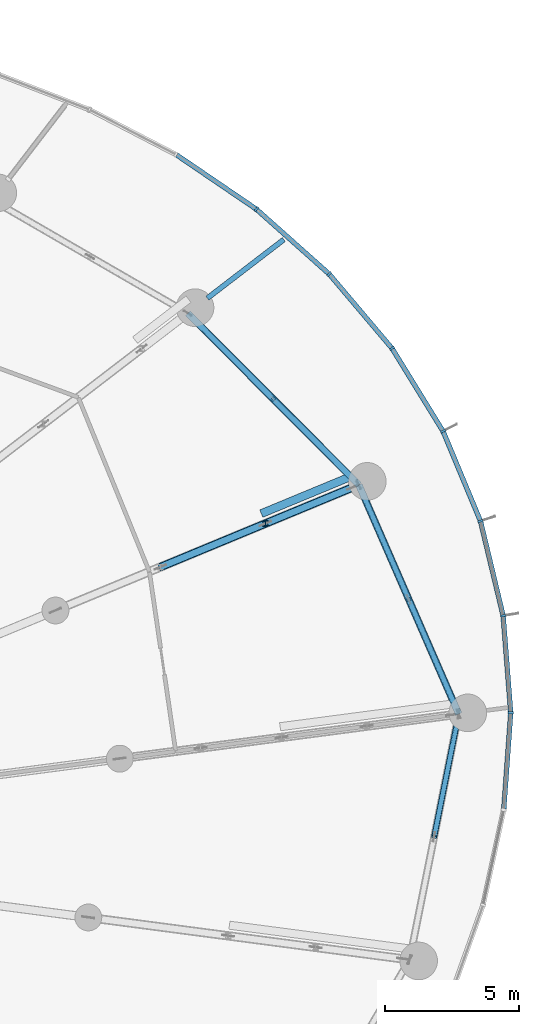
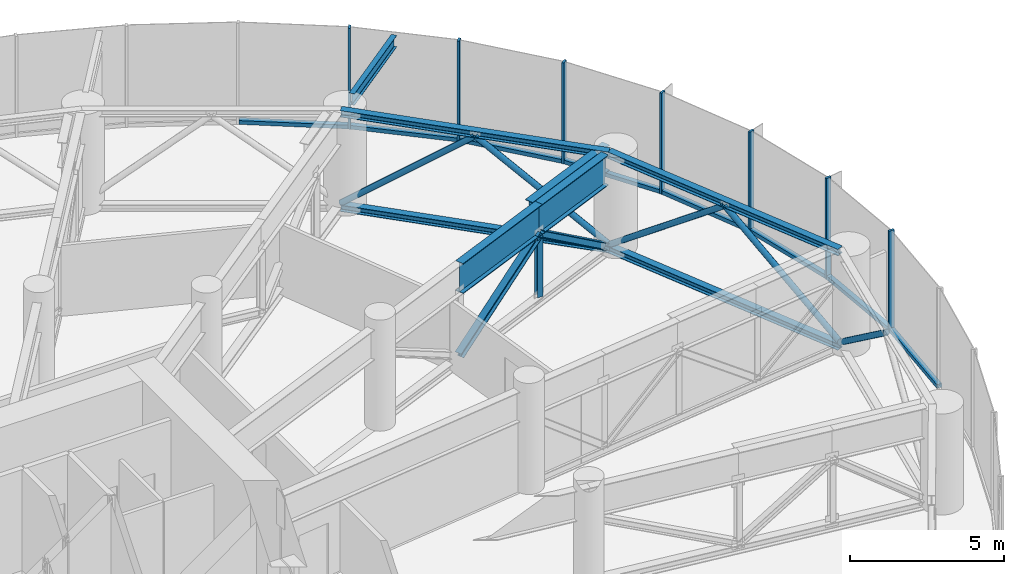
# One storey, part 17 of 42: 27 members, 4 beams, 2 elements without a shape of their own.
"""IFC4 building model written with IfcOpenShell, lengths in metres."""

import ifcopenshell
import ifcopenshell.guid

model = None  # the IFC model being written
_history = None  # IfcOwnerHistory: only IFC2X3 demands one
_inside = {}  # id of a spatial element -> (the spatial element, [elements in it])
_under = {}  # id of a project, library or spatial element -> (it, [spatial elements below it])
_declared = {}  # id of a project -> (the project, [libraries it declares])
_typed = {}  # id of a type object -> (the type object, [elements of that type])
_made_of = {}  # id of a material, layer set ... -> (it, [elements and type objects made of it])


def new_model(schema):
    """Start an empty IFC model of exactly this schema.

    Asked for "IFC4X3", IfcOpenShell would pick the latest addendum, in which some entities
    have other attributes; the version numbers below select the first issue.
    IFC2X3 requires an IfcOwnerHistory on every rooted entity: one is made here for all.
    """
    global model, _history
    if schema == "IFC4X3":
        model = ifcopenshell.file(schema_version=(4, 3, 0, 0))
    else:
        model = ifcopenshell.file(schema=schema)
    _inside.clear()
    _under.clear()
    _declared.clear()
    _typed.clear()
    _made_of.clear()
    _history = None
    if model.schema == "IFC2X3":
        org = make("IfcOrganization", Name="unknown")
        user = make(
            "IfcPersonAndOrganization",
            ThePerson=make("IfcPerson", FamilyName="unknown"),
            TheOrganization=org,
        )
        app = make(
            "IfcApplication",
            ApplicationDeveloper=org,
            Version="unknown",
            ApplicationFullName="unknown",
            ApplicationIdentifier="unknown",
        )
        _history = make(
            "IfcOwnerHistory",
            OwningUser=user,
            OwningApplication=app,
            ChangeAction="ADDED",
            CreationDate=0,
        )
    return model


def make(cls, **values):
    """One entity of the class cls with the attributes given. An attribute that is None is left unset."""
    return model.create_entity(
        cls, **{name: value for name, value in values.items() if value is not None}
    )


def rooted(cls, **values):
    """An entity with a GlobalId (a new one), such as an element, a storey or a relation."""
    return make(cls, GlobalId=ifcopenshell.guid.new(), OwnerHistory=_history, **values)


def si_unit(unit_type, name, prefix=None):
    """IfcSIUnit, for example si_unit("LENGTHUNIT", "METRE", prefix="MILLI")."""
    return make("IfcSIUnit", UnitType=unit_type, Prefix=prefix, Name=name)


def assignment(units):
    """IfcUnitAssignment: the units of a project."""
    return None if units is None else make("IfcUnitAssignment", Units=units)


def point(xyz):
    """IfcCartesianPoint."""
    return None if xyz is None else make("IfcCartesianPoint", Coordinates=xyz)


def direction(xyz):
    """IfcDirection."""
    return None if xyz is None else make("IfcDirection", DirectionRatios=xyz)


def frame(location, z_axis=None, x_axis=None):
    """IfcAxis2Placement3D, a coordinate frame: its origin and axes. An axis left out is left unset."""
    return make(
        "IfcAxis2Placement3D",
        Location=point(location),
        Axis=direction(z_axis),
        RefDirection=direction(x_axis),
    )


def frame_2d(location, x_axis=None):
    """IfcAxis2Placement2D, a coordinate frame in the plane: its origin and x axis."""
    return make(
        "IfcAxis2Placement2D", Location=point(location), RefDirection=direction(x_axis)
    )


def origin():
    """The frame at (0, 0, 0) with its axes left unset."""
    return frame((0.0, 0.0, 0.0))


def origin_2d():
    """The frame at (0, 0) in the plane with its x axis left unset."""
    return frame_2d((0.0, 0.0))


def place(relative_to, where):
    """IfcLocalPlacement: puts the frame where relative to a parent placement (None: the world)."""
    return make(
        "IfcLocalPlacement", PlacementRelTo=relative_to, RelativePlacement=where
    )


def context(
    kind, dimensions, precision=None, world=None, true_north=None, identifier=None
):
    """IfcGeometricRepresentationContext, for example the 3D "Model" context."""
    return make(
        "IfcGeometricRepresentationContext",
        ContextIdentifier=identifier,
        ContextType=kind,
        CoordinateSpaceDimension=dimensions,
        Precision=precision,
        WorldCoordinateSystem=world,
        TrueNorth=true_north,
    )


def subcontext(parent, identifier, kind, view, scale=None):
    """IfcGeometricRepresentationSubContext, for example "Body" below "Model"."""
    return make(
        "IfcGeometricRepresentationSubContext",
        ContextIdentifier=identifier,
        ContextType=kind,
        ParentContext=parent,
        TargetScale=scale,
        TargetView=view,
    )


def project(units=None, contexts=None):
    """IfcProject with its units and contexts."""
    return rooted(
        "IfcProject",
        Name="project",
        RepresentationContexts=contexts,
        UnitsInContext=assignment(units),
    )


def spatial(cls, under=None, at=None, **own):
    """A site, building, storey or space (cls), placed at a placement, below another one or the project."""
    s = rooted(cls, ObjectPlacement=at, **own)
    if under is not None:
        _under.setdefault(under.id(), (under, []))[1].append(s)
    return s


def profile(cls, at=None, kind="AREA", **sizes):
    """A parametric profile (cls). Its sizes go by their IFC names, for example OverallWidth=200.0."""
    return make(cls, ProfileType=kind, Position=at, **sizes)


def rectangle(**sizes):
    """IfcRectangleProfileDef."""
    return profile("IfcRectangleProfileDef", **sizes)


def hollow_circle(**sizes):
    """IfcCircleHollowProfileDef."""
    return profile("IfcCircleHollowProfileDef", **sizes)


def i_section(**sizes):
    """IfcIShapeProfileDef."""
    return profile("IfcIShapeProfileDef", **sizes)


def extrude(swept, where, along, depth):
    """IfcExtrudedAreaSolid: the profile swept, set in the frame where, extruded along a direction by depth."""
    return make(
        "IfcExtrudedAreaSolid",
        SweptArea=swept,
        Position=where,
        ExtrudedDirection=direction(along),
        Depth=depth,
    )


def shape(context_of_items, identifier, shape_type, items):
    """IfcShapeRepresentation: the items that make up one representation, for example the "Body"."""
    return make(
        "IfcShapeRepresentation",
        ContextOfItems=context_of_items,
        RepresentationIdentifier=identifier,
        RepresentationType=shape_type,
        Items=items,
    )


def source(mapping_origin, context_of_items, identifier, shape_type, items):
    """IfcRepresentationMap: a shape defined once, which mapped items show again and again."""
    return make(
        "IfcRepresentationMap",
        MappingOrigin=mapping_origin,
        MappedRepresentation=shape(context_of_items, identifier, shape_type, items),
    )


def transform(
    local_origin,
    x_axis=None,
    y_axis=None,
    z_axis=None,
    scale=None,
    scale2=None,
    scale3=None,
    uniform=True,
):
    """IfcCartesianTransformationOperator3D, or its non-uniform kind. x_axis, y_axis, z_axis: its Axis1, 2, 3."""
    if uniform:
        return make(
            "IfcCartesianTransformationOperator3D",
            Axis1=direction(x_axis),
            Axis2=direction(y_axis),
            LocalOrigin=point(local_origin),
            Scale=scale,
            Axis3=direction(z_axis),
        )
    return make(
        "IfcCartesianTransformationOperator3DnonUniform",
        Axis1=direction(x_axis),
        Axis2=direction(y_axis),
        LocalOrigin=point(local_origin),
        Scale=scale,
        Axis3=direction(z_axis),
        Scale2=scale2,
        Scale3=scale3,
    )


def mapped(mapping_source, mapping_target):
    """IfcMappedItem: shows the shape of a source again, moved by a transform."""
    return make(
        "IfcMappedItem", MappingSource=mapping_source, MappingTarget=mapping_target
    )


def material(Name=None, Category=None):
    """IfcMaterial."""
    return make("IfcMaterial", Name=Name, Category=Category)


def layer(
    of_material, thickness, ventilated=None, Name=None, Category=None, Priority=None
):
    """IfcMaterialLayer: one layer of a wall or slab, of a material (None: an air gap)."""
    return make(
        "IfcMaterialLayer",
        Material=of_material,
        LayerThickness=thickness,
        IsVentilated=ventilated,
        Name=Name,
        Category=Category,
        Priority=Priority,
    )


def layer_set(layers, Name=None):
    """IfcMaterialLayerSet."""
    return make("IfcMaterialLayerSet", MaterialLayers=layers, LayerSetName=Name)


def material_profile(
    of_material, cross_section, Name=None, Category=None, Priority=None
):
    """IfcMaterialProfile: a cross section and its material."""
    return make(
        "IfcMaterialProfile",
        Name=Name,
        Material=of_material,
        Profile=cross_section,
        Priority=Priority,
        Category=Category,
    )


def profile_set(profiles, Name=None, composite=None):
    """IfcMaterialProfileSet."""
    return make(
        "IfcMaterialProfileSet",
        Name=Name,
        MaterialProfiles=profiles,
        CompositeProfile=composite,
    )


def made_of(thing, what):
    """Note that an element or type object is made of a material, layer set ...; save() writes the relation."""
    if what is not None:
        _made_of.setdefault(what.id(), (what, []))[1].append(thing)
    return thing


def type_object(cls, material=None, **own):
    """A type object (cls), such as IfcWallType, which elements share."""
    return made_of(rooted(cls, **own), material)


def element(
    cls,
    number,
    at=None,
    inside=None,
    cuts=None,
    type_object=None,
    material=None,
    context=None,
    identifier="Body",
    shape_type=None,
    held_by="IfcProductDefinitionShape",
    body=None,
    shapes=None,
    **own,
):
    """One element of the class cls, such as IfcWall. Its Tag is "e" and its number.

    at: its placement. inside: the storey or other place that contains it. cuts: it is an
    opening in that element (IfcRelVoidsElement). A single representation is given by context,
    identifier, shape_type and body (its items); several are given by shapes. held_by: the class
    of the entity that holds the representations. save() writes the other relations.
    """
    e = rooted(cls, Tag="e%d" % number, ObjectPlacement=at, **own)
    if body is not None:
        shapes = [shape(context, identifier, shape_type, body)]
    if shapes is not None:
        e.Representation = make(held_by, Representations=shapes)
    if inside is not None:
        _inside.setdefault(inside.id(), (inside, []))[1].append(e)
    if cuts is not None:
        rooted(
            "IfcRelVoidsElement", RelatingBuildingElement=cuts, RelatedOpeningElement=e
        )
    if type_object is not None:
        _typed.setdefault(type_object.id(), (type_object, []))[1].append(e)
    return made_of(e, material)


def aggregate(whole, parts):
    """IfcRelAggregates: a whole, such as a stair, and the parts it consists of."""
    return rooted("IfcRelAggregates", RelatingObject=whole, RelatedObjects=parts)


def save(model, path):
    """Write the relations noted so far, then the file.

    IfcRelAggregates (storeys below a building ...), IfcRelContainedInSpatialStructure (elements
    in a storey), IfcRelDefinesByType, IfcRelAssociatesMaterial and IfcRelDeclares: one each for
    every whole, place, type object, material and project.
    """
    for whole, parts in _under.values():
        aggregate(whole, parts)
    for where, things in _inside.values():
        rooted(
            "IfcRelContainedInSpatialStructure",
            RelatedElements=things,
            RelatingStructure=where,
        )
    for kind, things in _typed.values():
        rooted("IfcRelDefinesByType", RelatedObjects=things, RelatingType=kind)
    for what, things in _made_of.values():
        rooted("IfcRelAssociatesMaterial", RelatedObjects=things, RelatingMaterial=what)
    for by, libraries in _declared.values():
        rooted("IfcRelDeclares", RelatingContext=by, RelatedDefinitions=libraries)
    model.write(path)


model = new_model("IFC4")

# Units and contexts
model_context = context("Model", 3, precision=1e-05, world=origin(), true_north=direction((0.0, 1.0)))
body_context = subcontext(model_context, "Body", "Model", "MODEL_VIEW")
ifc_project = project(units=[si_unit("LENGTHUNIT", "METRE"), si_unit("AREAUNIT", "SQUARE_METRE"), si_unit("VOLUMEUNIT", "CUBIC_METRE"), si_unit("PLANEANGLEUNIT", "RADIAN"), si_unit("MASSUNIT", "GRAM", prefix="KILO")], contexts=[model_context])

# Site, building, storey
site_placement = place(None, origin())
site = spatial("IfcSite", under=ifc_project, at=site_placement, CompositionType="ELEMENT")
building_placement = place(site_placement, origin())
building = spatial("IfcBuilding", under=site, at=building_placement, Name="Spindrift Exchange Tower", CompositionType="ELEMENT")
storey_placement = place(building_placement, frame((0.0, 0.0, 75.39990234375)))
storey = spatial("IfcBuildingStorey", under=building, at=storey_placement, Name="L17", CompositionType="ELEMENT", Elevation=75.39990234375)

# Beam
ifc_material_1 = material(Name="Steel Grade 300", Category="steel")
ifc_material_profile_1 = material_profile(ifc_material_1, i_section(OverallWidth=0.18994140625, OverallDepth=0.45703125, WebThickness=0.009033203125, FlangeThickness=0.014404296875, FilletRadius=0.013916015625, at=origin_2d()), Name="460UB74.6")
ifc_profile_set_1 = profile_set([ifc_material_profile_1], Name="Steel Grade 300")
beam_type_1 = type_object("IfcBeamType", Name="Cantilever Beam 460UB74.6 Steel Grade 300", PredefinedType="BEAM", material=ifc_profile_set_1)
shared_shape_1 = source(origin(), body_context, "Body", "SweptSolid", [
    extrude(i_section(OverallWidth=0.18994140625, OverallDepth=0.45703125, WebThickness=0.009033203125, FlangeThickness=0.014404296875, FilletRadius=0.013916015625, at=origin_2d()), origin(), (0.0, 0.0, 1.0), 3.58544921875),
])
beam_1_placement = place(storey_placement, frame((78.295654296875, 68.177490234375, 3.771484375), z_axis=(0.793382740537, 0.608723111947, 0.0), x_axis=(-0.608723111947, 0.793382740537, 0.0)))
element("IfcBeam", 1, at=beam_1_placement, inside=storey, type_object=beam_type_1, Name="L17 cantilever beam R03T", PredefinedType="BEAM", context=body_context, shape_type="MappedRepresentation", body=[
    mapped(shared_shape_1, transform((0.0, 0.0, 0.0), scale=1.0)),
])

# Members
ifc_material_profile_2 = material_profile(ifc_material_1, i_section(OverallWidth=0.205078125, OverallDepth=0.2099609375, WebThickness=0.00927734375, FlangeThickness=0.01416015625, FilletRadius=0.012939453125, at=origin_2d()), Name="200UC59.5")
ifc_profile_set_2 = profile_set([ifc_material_profile_2], Name="Steel Grade 300")
member_type_1 = type_object("IfcMemberType", Name="Outrigger Truss Post 200UC59.5 Steel Grade 300", PredefinedType="POST", material=ifc_profile_set_2)
shared_shape_2 = source(origin(), body_context, "Body", "SweptSolid", [
    extrude(i_section(OverallWidth=0.205078125, OverallDepth=0.2099609375, WebThickness=0.00927734375, FlangeThickness=0.01416015625, FilletRadius=0.012939453125, at=origin_2d()), origin(), (0.0, 0.0, 1.0), 2.472900390625),
])
member_1_placement = place(storey_placement, frame((80.45556640625, 59.78662109375, 0.3271484375), z_axis=(0.0, 0.0, 1.0), x_axis=(1.0, 0.0, 0.0)))
element("IfcMember", 2, at=member_1_placement, inside=storey, type_object=member_type_1, Name="L17 outrigger truss 02 post 3", PredefinedType="POST", context=body_context, shape_type="MappedRepresentation", body=[
    mapped(shared_shape_2, transform((0.0, 0.0, 0.0), scale=1.0)),
])
ifc_material_profile_3 = material_profile(ifc_material_1, i_section(OverallWidth=0.256103515625, OverallDepth=0.260009765625, WebThickness=0.010498046875, FlangeThickness=0.017333984375, FilletRadius=0.011962890625, at=origin_2d()), Name="250UC89.5")
ifc_profile_set_3 = profile_set([ifc_material_profile_3], Name="Steel Grade 300")
member_type_2 = type_object("IfcMemberType", Name="Outrigger Truss Diagonal 250UC89.5 Steel Grade 300", PredefinedType="BRACE", material=ifc_profile_set_3)
shared_shape_3 = source(origin(), body_context, "Body", "SweptSolid", [
    extrude(i_section(OverallWidth=0.256103515625, OverallDepth=0.260009765625, WebThickness=0.010498046875, FlangeThickness=0.017333984375, FilletRadius=0.011962890625, at=origin_2d()), origin(), (0.0, 0.0, 1.0), 4.89990234375),
])
member_2_placement = place(storey_placement, frame((76.54736328125, 58.16796875, 0.3271484375), z_axis=(0.797603712474, 0.330341867423, 0.504680659898), x_axis=(-0.382647435687, 0.923894442002, 0.0)))
element("IfcMember", 3, at=member_2_placement, inside=storey, type_object=member_type_2, Name="L17 outrigger truss 02 diagonal 3", PredefinedType="BRACE", context=body_context, shape_type="MappedRepresentation", body=[
    mapped(shared_shape_3, transform((0.0, 0.0, 0.0), scale=1.0)),
])

# Beams
ifc_material_profile_4 = material_profile(ifc_material_1, i_section(OverallWidth=0.300048828125, OverallDepth=1.199951171875, WebThickness=0.011962890625, FlangeThickness=0.028076171875, at=origin_2d()), Name="1200WB249")
ifc_profile_set_4 = profile_set([ifc_material_profile_4], Name="Steel Grade 300")
beam_type_2 = type_object("IfcBeamType", Name="Outrigger Truss Transfer Girder 1200WB249 Steel Grade 300", PredefinedType="BEAM", material=ifc_profile_set_4)
shared_shape_4 = source(origin(), body_context, "Body", "SweptSolid", [
    extrude(i_section(OverallWidth=0.300048828125, OverallDepth=1.199951171875, WebThickness=0.011962890625, FlangeThickness=0.028076171875, at=origin_2d()), origin(), (0.0, 0.0, 1.0), 4.230224609375),
])
beam_2_placement = place(storey_placement, frame((76.54736328125, 58.16796875, 3.400146484375), z_axis=(0.923894442002, 0.382647435687, 0.0), x_axis=(-0.382647435687, 0.923894442002, 0.0)))
element("IfcBeam", 4, at=beam_2_placement, inside=storey, type_object=beam_type_2, Name="L17 outrigger truss 02 top chord 3", PredefinedType="BEAM", context=body_context, shape_type="MappedRepresentation", body=[
    mapped(shared_shape_4, transform((0.0, 0.0, 0.0), scale=1.0)),
])
shared_shape_5 = source(origin(), body_context, "Body", "SweptSolid", [
    extrude(i_section(OverallWidth=0.300048828125, OverallDepth=1.199951171875, WebThickness=0.011962890625, FlangeThickness=0.028076171875, at=origin_2d()), origin(), (0.0, 0.0, 1.0), 3.525634765625),
])
beam_3_placement = place(storey_placement, frame((80.45556640625, 59.78662109375, 3.400146484375), z_axis=(0.923865757221, 0.382716687165, 0.0), x_axis=(-0.382716687165, 0.923865757221, 0.0)))
element("IfcBeam", 5, at=beam_3_placement, inside=storey, type_object=beam_type_2, Name="L17 outrigger truss 02 top chord 4", PredefinedType="BEAM", context=body_context, shape_type="MappedRepresentation", body=[
    mapped(shared_shape_5, transform((0.0, 0.0, 0.0), scale=1.0)),
])

# Members
shared_shape_6 = source(origin(), body_context, "Body", "SweptSolid", [
    extrude(i_section(OverallWidth=0.256103515625, OverallDepth=0.260009765625, WebThickness=0.010498046875, FlangeThickness=0.017333984375, FilletRadius=0.011962890625, at=origin_2d()), origin(), (0.0, 0.0, 1.0), 4.306640625),
])
member_3_placement = place(storey_placement, frame((80.45556640625, 59.78662109375, 2.800048828125), z_axis=(0.756368975727, 0.313330185043, -0.574221357753), x_axis=(-0.382716687165, 0.923865757221, 0.0)))
element("IfcMember", 6, at=member_3_placement, inside=storey, type_object=member_type_2, Name="L17 outrigger truss 02 diagonal 4", PredefinedType="BRACE", context=body_context, shape_type="MappedRepresentation", body=[
    mapped(shared_shape_6, transform((0.0, 0.0, 0.0), scale=1.0)),
])
ifc_material_profile_5 = material_profile(ifc_material_1, i_section(OverallWidth=0.256103515625, OverallDepth=0.260009765625, WebThickness=0.010498046875, FlangeThickness=0.017333984375, FilletRadius=0.011962890625, at=origin_2d()), Name="250UC89.5")
ifc_profile_set_5 = profile_set([ifc_material_profile_5], Name="Steel Grade 300")
member_type_3 = type_object("IfcMemberType", Name="Belt Truss Chord 250UC89.5 Steel Grade 300", PredefinedType="CHORD", material=ifc_profile_set_5)
shared_shape_7 = source(origin(), body_context, "Body", "SweptSolid", [
    extrude(i_section(OverallWidth=0.256103515625, OverallDepth=0.260009765625, WebThickness=0.010498046875, FlangeThickness=0.017333984375, FilletRadius=0.011962890625, at=origin_2d()), origin(), (0.0, 0.0, 1.0), 9.308837890625),
])
for number, where, z_axis, x_axis, name in (
    (7, (87.6533203125, 52.69384765625, 3.8701171875), (-0.399457703122, 0.916751625805, 0.0), (-0.916751625805, -0.399457703122, 0.0), "L17 belt truss 01 top chord"),
    (8, (87.6533203125, 52.69384765625, 0.130126953125), (-0.399457703122, 0.916751625805, 0.0), (-0.916751625805, -0.399457703122, 0.0), "L17 belt truss 01 bottom chord"),
):
    element("IfcMember", number, at=place(storey_placement, frame(where, z_axis=z_axis, x_axis=x_axis)), inside=storey, type_object=member_type_3, Name=name, PredefinedType="CHORD", context=body_context, shape_type="MappedRepresentation", body=[
        mapped(shared_shape_7, transform((0.0, 0.0, 0.0), scale=1.0)),
    ])
ifc_material_2 = material(Name="Steel Grade 350", Category="steel")
ifc_material_profile_6 = material_profile(ifc_material_2, hollow_circle(Radius=0.109619140625, WallThickness=0.00830078125, at=origin_2d()), Name="219.1x8.2CHS")
ifc_profile_set_6 = profile_set([ifc_material_profile_6], Name="Steel Grade 350")
member_type_4 = type_object("IfcMemberType", Name="Belt Truss Diagonal 219.1x8.2CHS Steel Grade 350", PredefinedType="BRACE", material=ifc_profile_set_6)
shared_shape_8 = source(origin(), body_context, "Body", "SweptSolid", [
    extrude(hollow_circle(Radius=0.109619140625, WallThickness=0.00830078125, at=origin_2d()), origin(), (0.0, 0.0, 1.0), 5.8115234375),
])
for number, where, z_axis, x_axis, name in (
    (9, (87.6533203125, 52.69384765625, 0.260009765625), (-0.319947615154, 0.734207519702, 0.598809520274), (-0.916737835901, -0.399489349329, 0.0), "L17 belt truss 01 diagonal 1"),
    (10, (85.7939453125, 56.960693359375, 3.739990234375), (-0.31990003748, 0.734236750502, -0.59879909839), (-0.916765414243, -0.399426057298, 0.0), "L17 belt truss 01 diagonal 2"),
):
    element("IfcMember", number, at=place(storey_placement, frame(where, z_axis=z_axis, x_axis=x_axis)), inside=storey, type_object=member_type_4, Name=name, PredefinedType="BRACE", context=body_context, shape_type="MappedRepresentation", body=[
        mapped(shared_shape_8, transform((0.0, 0.0, 0.0), scale=1.0)),
    ])
shared_shape_9 = source(origin(), body_context, "Body", "SweptSolid", [
    extrude(i_section(OverallWidth=0.256103515625, OverallDepth=0.260009765625, WebThickness=0.010498046875, FlangeThickness=0.017333984375, FilletRadius=0.011962890625, at=origin_2d()), origin(), (0.0, 0.0, 1.0), 9.021484375),
])
for number, where, z_axis, x_axis, name in (
    (11, (83.934814453125, 61.227783203125, 3.8701171875), (-0.705969259077, 0.708242476302, 0.0), (-0.708242476302, -0.705969259077, 0.0), "L17 belt truss 02 top chord"),
    (12, (83.934814453125, 61.227783203125, 0.130126953125), (-0.705969259077, 0.708242476302, 0.0), (-0.708242476302, -0.705969259077, 0.0), "L17 belt truss 02 bottom chord"),
):
    element("IfcMember", number, at=place(storey_placement, frame(where, z_axis=z_axis, x_axis=x_axis)), inside=storey, type_object=member_type_3, Name=name, PredefinedType="CHORD", context=body_context, shape_type="MappedRepresentation", body=[
        mapped(shared_shape_9, transform((0.0, 0.0, 0.0), scale=1.0)),
    ])
shared_shape_10 = source(origin(), body_context, "Body", "SweptSolid", [
    extrude(hollow_circle(Radius=0.109619140625, WallThickness=0.00830078125, at=origin_2d()), origin(), (0.0, 0.0, 1.0), 5.697265625),
])
member_4_placement = place(storey_placement, frame((83.934814453125, 61.227783203125, 0.260009765625), z_axis=(-0.558966254044, 0.56076605339, 0.610817616156), x_axis=(-0.708242432874, -0.705969302645, 0.0)))
element("IfcMember", 13, at=member_4_placement, inside=storey, type_object=member_type_4, Name="L17 belt truss 02 diagonal 1", PredefinedType="BRACE", context=body_context, shape_type="MappedRepresentation", body=[
    mapped(shared_shape_10, transform((0.0, 0.0, 0.0), scale=1.0)),
])
shared_shape_11 = source(origin(), body_context, "Body", "SweptSolid", [
    extrude(hollow_circle(Radius=0.109619140625, WallThickness=0.00830078125, at=origin_2d()), origin(), (0.0, 0.0, 1.0), 5.697021484375),
])
member_5_placement = place(storey_placement, frame((80.750244140625, 64.422607421875, 3.739990234375), z_axis=(-0.558950221503, 0.560750107212, -0.610846926114), x_axis=(-0.708242519734, -0.705969215505, 0.0)))
element("IfcMember", 14, at=member_5_placement, inside=storey, type_object=member_type_4, Name="L17 belt truss 02 diagonal 2", PredefinedType="BRACE", context=body_context, shape_type="MappedRepresentation", body=[
    mapped(shared_shape_11, transform((0.0, 0.0, 0.0), scale=1.0)),
])
shared_shape_12 = source(origin(), body_context, "Body", "SweptSolid", [
    extrude(hollow_circle(Radius=0.109619140625, WallThickness=0.00830078125, at=origin_2d()), origin(), (0.0, 0.0, 1.0), 5.8193359375),
])
member_6_placement = place(storey_placement, frame((86.73876953125, 48.120361328125, 3.739990234375), z_axis=(0.157160086849, 0.785926296568, -0.598013848891), x_axis=(-0.980586715082, 0.196085935766, 0.0)))
element("IfcMember", 15, at=member_6_placement, inside=storey, type_object=member_type_4, Name="L17 belt truss 24 diagonal 2", PredefinedType="BRACE", context=body_context, shape_type="MappedRepresentation", body=[
    mapped(shared_shape_12, transform((0.0, 0.0, 0.0), scale=1.0)),
])

# Beam
ifc_material_profile_7 = material_profile(ifc_material_1, i_section(OverallWidth=0.300048828125, OverallDepth=1.0, WebThickness=0.010009765625, FlangeThickness=0.02001953125, at=origin_2d()), Name="1000WB215")
ifc_profile_set_7 = profile_set([ifc_material_profile_7], Name="Steel Grade 300")
beam_type_3 = type_object("IfcBeamType", Name="Transfer Tie Beam 1000WB215 Steel Grade 300", PredefinedType="BEAM", material=ifc_profile_set_7)
shared_shape_13 = source(origin(), body_context, "Body", "SweptSolid", [
    extrude(i_section(OverallWidth=0.300048828125, OverallDepth=1.0, WebThickness=0.010009765625, FlangeThickness=0.02001953125, at=origin_2d()), origin(), (0.0, 0.0, 1.0), 4.105712890625),
])
beam_4_placement = place(storey_placement, frame((84.095703125, 61.7275390625, 3.400146484375), z_axis=(-0.923871882362, -0.382701900938, 0.0), x_axis=(0.382701900938, -0.923871882362, 0.0)))
element("IfcBeam", 16, at=beam_4_placement, inside=storey, type_object=beam_type_3, Name="L17 transfer tie beam K02", PredefinedType="BEAM", context=body_context, shape_type="MappedRepresentation", body=[
    mapped(shared_shape_13, transform((0.0, 0.0, 0.0), scale=1.0)),
])

# Curtain wall, member
ifc_material_3 = material(Name="Fritted laminated glass with bronze frame", Category="glass")
ifc_layer = layer(ifc_material_3, 0.199951171875)
ifc_layer_set = layer_set([ifc_layer], Name="ZONE 1 BRONZE FRITTED WALL")
curtain_wall_type = type_object("IfcCurtainWallType", Name="ZONE 1 BRONZE FRITTED WALL", PredefinedType="NOTDEFINED", material=ifc_layer_set)
curtain_wall_1_placement = place(storey_placement, origin())
curtain_wall_1 = element("IfcCurtainWall", 17, at=curtain_wall_1_placement, inside=storey, type_object=curtain_wall_type, Name="L17 Zone 1 Bronze Fritted Wall run 1", PredefinedType="NOTDEFINED")
ifc_material_4 = material(Name="Bronze anodised aluminium", Category="aluminium")
ifc_material_profile_8 = material_profile(ifc_material_4, rectangle(XDim=0.179931640625, YDim=0.14990234375, at=origin_2d()), Name="ZONE 1 BRONZE FRITTED WALL TRANSOM 180X150")
ifc_profile_set_8 = profile_set([ifc_material_profile_8], Name="Bronze anodised aluminium")
member_type_5 = type_object("IfcMemberType", Name="ZONE 1 BRONZE FRITTED WALL TRANSOM 180X150", PredefinedType="USERDEFINED", material=ifc_profile_set_8)
shared_shape_14 = source(origin(), body_context, "Body", "SweptSolid", [
    extrude(rectangle(XDim=0.179931640625, YDim=0.14990234375, at=origin_2d()), origin(), (0.0, 0.0, 1.0), 3.54443359375),
])
member_7_placement = place(storey_placement, frame((88.448486328125, 59.916015625, 0.0751953125), z_axis=(-0.38448821787, 0.923129898941, 0.0), x_axis=(-0.923129898941, -0.38448821787, 0.0)))
member_7 = element("IfcMember", 18, at=member_7_placement, type_object=member_type_5, Name="L17 transom CW-1.1", ObjectType="TRANSOM", PredefinedType="USERDEFINED", context=body_context, shape_type="MappedRepresentation", body=[
    mapped(shared_shape_14, transform((0.0, 0.0, 0.0), scale=1.0)),
])

curtain_wall_2_placement = place(storey_placement, origin())
curtain_wall_2 = element("IfcCurtainWall", 19, at=curtain_wall_2_placement, inside=storey, type_object=curtain_wall_type, Name="L17 Zone 1 Bronze Fritted Wall run 10", PredefinedType="NOTDEFINED")
member_8_placement = place(storey_placement, frame((89.299072265625, 56.393310546875, 0.0751953125), z_axis=(-0.233026445507, 0.972470398364, 0.0), x_axis=(-0.972470398364, -0.233026445507, 0.0)))
member_8 = element("IfcMember", 20, at=member_8_placement, type_object=member_type_5, Name="L17 transom CW-1.59", ObjectType="TRANSOM", PredefinedType="USERDEFINED", context=body_context, shape_type="MappedRepresentation", body=[
    mapped(shared_shape_14, transform((0.0, 0.0, 0.0), scale=1.0)),
])

# Member
shared_shape_15 = source(origin(), body_context, "Body", "SweptSolid", [
    extrude(rectangle(XDim=0.179931640625, YDim=0.14990234375, at=origin_2d()), origin(), (0.0, 0.0, 1.0), 3.544921875),
])
member_9_placement = place(storey_placement, frame((87.04931640625, 63.2587890625, 0.0751953125), z_axis=(-0.52418580382, 0.851603923825, 0.0), x_axis=(-0.851603923825, -0.52418580382, 0.0)))
member_9 = element("IfcMember", 21, at=member_9_placement, type_object=member_type_5, Name="L17 transom CW-1.2", ObjectType="TRANSOM", PredefinedType="USERDEFINED", context=body_context, shape_type="MappedRepresentation", body=[
    mapped(shared_shape_15, transform((0.0, 0.0, 0.0), scale=1.0)),
])

member_10_placement = place(storey_placement, frame((89.332275390625, 49.165283203125, 0.0751953125), z_axis=(0.072245466051, 0.997386882125, 0.0), x_axis=(-0.997386882125, 0.072245466051, 0.0)))
member_10 = element("IfcMember", 22, at=member_10_placement, type_object=member_type_5, Name="L17 transom CW-1.57", ObjectType="TRANSOM", PredefinedType="USERDEFINED", context=body_context, shape_type="MappedRepresentation", body=[
    mapped(shared_shape_15, transform((0.0, 0.0, 0.0), scale=1.0)),
])

shared_shape_16 = source(origin(), body_context, "Body", "SweptSolid", [
    extrude(rectangle(XDim=0.179931640625, YDim=0.14990234375, at=origin_2d()), origin(), (0.0, 0.0, 1.0), 3.545166015625),
])
member_11_placement = place(storey_placement, frame((85.14453125, 66.342041015625, 0.0751953125), z_axis=(-0.64588358569, 0.763435913313, 0.0), x_axis=(-0.763435913313, -0.64588358569, 0.0)))
member_11 = element("IfcMember", 23, at=member_11_placement, type_object=member_type_5, Name="L17 transom CW-1.3", ObjectType="TRANSOM", PredefinedType="USERDEFINED", context=body_context, shape_type="MappedRepresentation", body=[
    mapped(shared_shape_16, transform((0.0, 0.0, 0.0), scale=1.0)),
])

member_12_placement = place(storey_placement, frame((82.799072265625, 69.105712890625, 0.0751953125), z_axis=(-0.746698399019, 0.665162762715, 0.0), x_axis=(-0.665162762715, -0.746698399019, 0.0)))
member_12 = element("IfcMember", 24, at=member_12_placement, type_object=member_type_5, Name="L17 transom CW-1.4", ObjectType="TRANSOM", PredefinedType="USERDEFINED", context=body_context, shape_type="MappedRepresentation", body=[
    mapped(shared_shape_16, transform((0.0, 0.0, 0.0), scale=1.0)),
])

shared_shape_17 = source(origin(), body_context, "Body", "SweptSolid", [
    extrude(rectangle(XDim=0.179931640625, YDim=0.14990234375, at=origin_2d()), origin(), (0.0, 0.0, 1.0), 3.5458984375),
])
member_13_placement = place(storey_placement, frame((80.0888671875, 71.512939453125, 0.0751953125), z_axis=(-0.826694643301, 0.562650839098, 0.0), x_axis=(-0.562650839098, -0.826694643301, 0.0)))
member_13 = element("IfcMember", 25, at=member_13_placement, type_object=member_type_5, Name="L17 transom CW-1.5", ObjectType="TRANSOM", PredefinedType="USERDEFINED", context=body_context, shape_type="MappedRepresentation", body=[
    mapped(shared_shape_17, transform((0.0, 0.0, 0.0), scale=1.0)),
])

shared_shape_18 = source(origin(), body_context, "Body", "SweptSolid", [
    extrude(rectangle(XDim=0.179931640625, YDim=0.14990234375, at=origin_2d()), origin(), (0.0, 0.0, 1.0), 3.544677734375),
])
member_14_placement = place(storey_placement, frame((89.588134765625, 52.78076171875, 0.0751953125), z_axis=(-0.078034205386, 0.996950682225, 0.0), x_axis=(-0.996950682225, -0.078034205386, 0.0)))
member_14 = element("IfcMember", 26, at=member_14_placement, type_object=member_type_5, Name="L17 transom CW-1.58", ObjectType="TRANSOM", PredefinedType="USERDEFINED", context=body_context, shape_type="MappedRepresentation", body=[
    mapped(shared_shape_18, transform((0.0, 0.0, 0.0), scale=1.0)),
])

ifc_material_profile_9 = material_profile(ifc_material_4, rectangle(XDim=0.080078125, YDim=0.199951171875, at=origin_2d()), Name="ZONE 1 BRONZE FRITTED WALL MULLION 80X200")
ifc_profile_set_9 = profile_set([ifc_material_profile_9], Name="Bronze anodised aluminium")
member_type_6 = type_object("IfcMemberType", Name="ZONE 1 BRONZE FRITTED WALL MULLION 80X200", PredefinedType="MULLION", material=ifc_profile_set_9)
shared_shape_19 = source(origin(), body_context, "Body", "SweptSolid", [
    extrude(rectangle(XDim=0.080078125, YDim=0.199951171875, at=origin_2d()), origin(), (0.0, 0.0, 1.0), 4.0),
])
member_15_placement = place(storey_placement, frame((88.4638671875, 59.879150390625, 0.0), z_axis=(0.0, 0.0, 1.0), x_axis=(-0.309756457455, 0.950815932274, 0.0)))
member_15 = element("IfcMember", 27, at=member_15_placement, type_object=member_type_6, Name="L17 mullion CW-1.1", PredefinedType="MULLION", context=body_context, shape_type="MappedRepresentation", body=[
    mapped(shared_shape_19, transform((0.0, 0.0, 0.0), scale=1.0)),
])

member_16_placement = place(storey_placement, frame((87.0703125, 63.224853515625, 0.0), z_axis=(0.0, 0.0, 1.0), x_axis=(-0.455742024423, 0.890111907108, 0.0)))
member_16 = element("IfcMember", 28, at=member_16_placement, type_object=member_type_6, Name="L17 mullion CW-1.2", PredefinedType="MULLION", context=body_context, shape_type="MappedRepresentation", body=[
    mapped(shared_shape_19, transform((0.0, 0.0, 0.0), scale=1.0)),
])

member_17_placement = place(storey_placement, frame((85.17041015625, 66.3115234375, 0.0), z_axis=(0.0, 0.0, 1.0), x_axis=(-0.586684313926, 0.809815729529, 0.0)))
member_17 = element("IfcMember", 29, at=member_17_placement, type_object=member_type_6, Name="L17 mullion CW-1.3", PredefinedType="MULLION", context=body_context, shape_type="MappedRepresentation", body=[
    mapped(shared_shape_19, transform((0.0, 0.0, 0.0), scale=1.0)),
])

member_18_placement = place(storey_placement, frame((82.8291015625, 69.0791015625, 0.0), z_axis=(0.0, 0.0, 1.0), x_axis=(-0.698023902496, 0.716074459497, 0.0)))
member_18 = element("IfcMember", 30, at=member_18_placement, type_object=member_type_6, Name="L17 mullion CW-1.4", PredefinedType="MULLION", context=body_context, shape_type="MappedRepresentation", body=[
    mapped(shared_shape_19, transform((0.0, 0.0, 0.0), scale=1.0)),
])

member_19_placement = place(storey_placement, frame((80.121826171875, 71.490478515625, 0.0), z_axis=(0.0, 0.0, 1.0), x_axis=(-0.788376720093, 0.615192772402, 0.0)))
member_19 = element("IfcMember", 31, at=member_19_placement, type_object=member_type_6, Name="L17 mullion CW-1.5", PredefinedType="MULLION", context=body_context, shape_type="MappedRepresentation", body=[
    mapped(shared_shape_19, transform((0.0, 0.0, 0.0), scale=1.0)),
])

aggregate(curtain_wall_1, [member_15, member_7, member_16, member_9, member_17, member_11, member_18, member_12, member_19, member_13])

member_20_placement = place(storey_placement, frame((89.59130859375, 52.740966796875, 0.0), z_axis=(0.0, 0.0, 1.0), x_axis=(-0.002908203737, 0.999995771167, 0.0)))
member_20 = element("IfcMember", 32, at=member_20_placement, type_object=member_type_6, Name="L17 mullion CW-1.58", PredefinedType="MULLION", context=body_context, shape_type="MappedRepresentation", body=[
    mapped(shared_shape_19, transform((0.0, 0.0, 0.0), scale=1.0)),
])

member_21_placement = place(storey_placement, frame((89.308349609375, 56.3544921875, 0.0), z_axis=(0.0, 0.0, 1.0), x_axis=(-0.156021642307, 0.987753636861, 0.0)))
member_21 = element("IfcMember", 33, at=member_21_placement, type_object=member_type_6, Name="L17 mullion CW-1.59", PredefinedType="MULLION", context=body_context, shape_type="MappedRepresentation", body=[
    mapped(shared_shape_19, transform((0.0, 0.0, 0.0), scale=1.0)),
])

aggregate(curtain_wall_2, [member_10, member_20, member_14, member_21, member_8])

save(model, "model.ifc")
